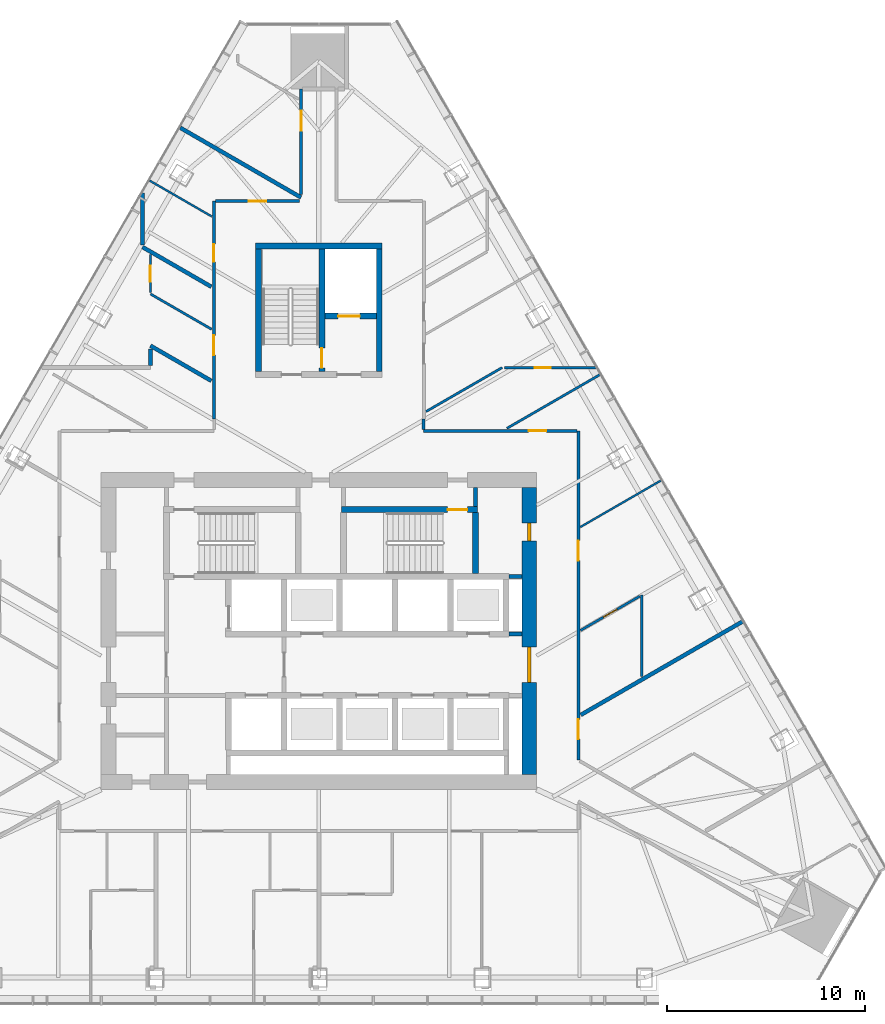
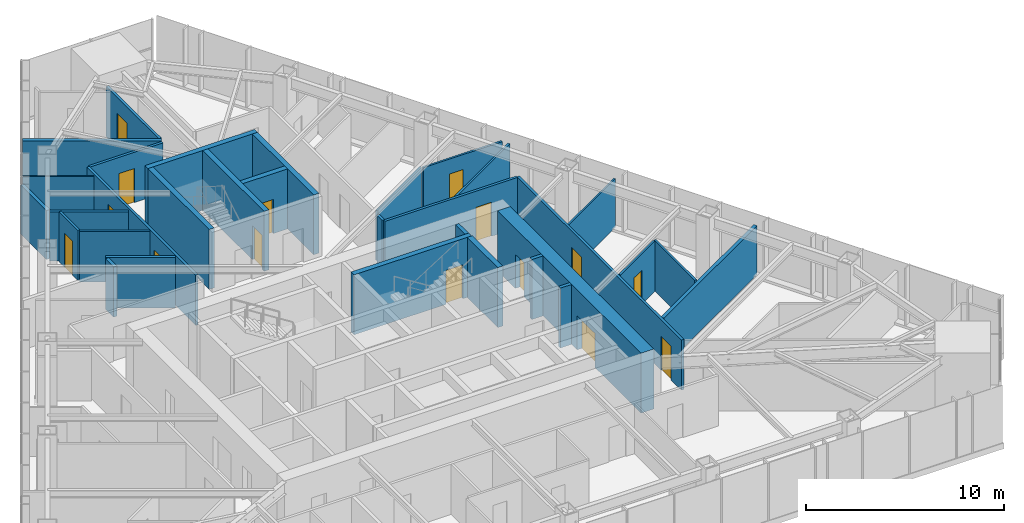
# One storey, part 13 of 16: 32 walls, 15 doors, 15 openings.
"""IFC4 building model written with IfcOpenShell, lengths in metres."""

from ifc_helpers import new_model, si_unit, direction, frame, frame_2d, origin, place, context, subcontext, project, spatial, rectangle, extrude, material, layer, layer_set, type_object, element, fill, save


model = new_model("IFC4")

# Units and contexts
model_context = context("Model", 3, precision=1e-05, world=origin(), true_north=direction((0.0, 1.0)))
body_context = subcontext(model_context, "Body", "Model", "MODEL_VIEW")
ifc_project = project(units=[si_unit("LENGTHUNIT", "METRE"), si_unit("AREAUNIT", "SQUARE_METRE"), si_unit("VOLUMEUNIT", "CUBIC_METRE"), si_unit("PLANEANGLEUNIT", "RADIAN"), si_unit("MASSUNIT", "GRAM", prefix="KILO")], contexts=[model_context])

# Site, building, storey
site_placement = place(None, origin())
site = spatial("IfcSite", under=ifc_project, at=site_placement, CompositionType="ELEMENT")
building_placement = place(site_placement, origin())
building = spatial("IfcBuilding", under=site, at=building_placement, Name="Firuza Gate Tower and Library", CompositionType="ELEMENT")
storey_placement = place(building_placement, frame((0.0, 0.0, 229.89990234375)))
storey = spatial("IfcBuildingStorey", under=building, at=storey_placement, Name="L54", CompositionType="ELEMENT", Elevation=229.89990234375)

# Walls
ifc_material_1 = material(Name="Plasterboard on steel studs", Category="steel")
ifc_layer_1 = layer(ifc_material_1, 0.199951171875)
ifc_layer_set_1 = layer_set([ifc_layer_1], Name="Core partition 200 EI 120")
wall_type_1 = type_object("IfcWallType", Name="Core partition 200 EI 120", PredefinedType="PARTITIONING", material=ifc_layer_set_1)
for number, where, z_axis, x_axis, name in (
    (1, (84.60009765625, 74.85009765625, 0.0), (0.0, 0.0, 1.0), (1.0, 0.0, 0.0), "Core partition L54 5"),
    (2, (84.60009765625, 77.75, 0.0), (0.0, 0.0, 1.0), (1.0, 0.0, 0.0), "Core partition L54 6"),
):
    element("IfcWall", number, at=place(storey_placement, frame(where, z_axis=z_axis, x_axis=x_axis)), inside=storey, type_object=wall_type_1, Name=name, PredefinedType="PARTITIONING", context=body_context, shape_type="SweptSolid", body=[
        extrude(rectangle(XDim=0.64990234375, YDim=0.199951171875, at=frame_2d((0.324951171875, 0.0))), origin(), (0.0, 0.0, 1.0), 3.7001953125),
    ])
ifc_material_2 = material(Name="Plasterboard on steel studs", Category="steel")
ifc_layer_2 = layer(ifc_material_2, 0.199951171875)
ifc_layer_set_2 = layer_set([ifc_layer_2], Name="Core partition 200 EI 60")
wall_type_2 = type_object("IfcWallType", Name="Core partition 200 EI 60", PredefinedType="PARTITIONING", material=ifc_layer_set_2)
wall_1_placement = place(storey_placement, frame((82.89990234375, 81.280029296875, 0.0), z_axis=(0.0, 0.0, 1.0), x_axis=(0.0, 1.0, 0.0)))
element("IfcWall", 3, at=wall_1_placement, inside=storey, type_object=wall_type_2, Name="Core partition L54 14", PredefinedType="PARTITIONING", context=body_context, shape_type="SweptSolid", body=[
    extrude(rectangle(XDim=0.969970703125, YDim=0.199951171875, at=frame_2d((0.48486328125, 0.0))), origin(), (0.0, 0.0, 1.0), 3.7001953125),
])

# Wall, opening, door
ifc_material_3 = material(Name="Concrete C80/95", Category="concrete")
ifc_layer_3 = layer(ifc_material_3, 0.300048828125)
ifc_layer_set_3 = layer_set([ifc_layer_3], Name="Core wall 300 C80/95")
wall_type_3 = type_object("IfcWallType", Name="Core wall 300 C80/95", PredefinedType="SHEAR", material=ifc_layer_set_3)
wall_2_placement = place(storey_placement, frame((76.139892578125, 81.1298828125, 0.0), z_axis=(0.0, 0.0, 1.0), x_axis=(1.0, 0.0, 0.0)))
wall_2 = element("IfcWall", 4, at=wall_2_placement, inside=storey, type_object=wall_type_3, Name="Core wall L54 22", PredefinedType="SHEAR", context=body_context, shape_type="SweptSolid", body=[
    extrude(rectangle(XDim=6.860107421875, YDim=0.300048828125, at=frame_2d((3.43017578125, 0.0))), origin(), (0.0, 0.0, 1.0), 3.7001953125),
])
opening_1_placement = place(wall_2_placement, frame((5.364990234375, 0.0, 0.0)))
opening_1 = element("IfcOpeningElement", 5, at=opening_1_placement, cuts=wall_2, Name="Opening L54-K13", PredefinedType="OPENING", context=body_context, shape_type="SweptSolid", body=[
    extrude(rectangle(XDim=1.0, YDim=2.10009765625, at=frame_2d((0.5, 1.050048828125))), frame((0.0, 0.16015625, 0.0), z_axis=(0.0, -1.0, 0.0), x_axis=(1.0, 0.0, 0.0)), (0.0, 0.0, 1.0), 0.320068359375),
])
ifc_material_4 = material(Name="Steel", Category="steel")
door_type_1 = type_object("IfcDoorType", Name="Fire door 1000x2100 FD90", OperationType="NOTDEFINED", PredefinedType="DOOR", material=ifc_material_4)
door_1_placement = place(opening_1_placement, origin())
door_1 = element("IfcDoor", 6, at=door_1_placement, inside=storey, type_object=door_type_1, Name="Door L54-K13", OperationType="SINGLE_SWING_RIGHT", OverallHeight=2.10009765625, OverallWidth=1.0, PredefinedType="DOOR", context=body_context, shape_type="SweptSolid", body=[
    extrude(rectangle(XDim=1.0, YDim=2.10009765625, at=frame_2d((0.5, 1.050048828125))), frame((0.0, 0.02490234375, 0.0), z_axis=(0.0, -1.0, 0.0), x_axis=(1.0, 0.0, 0.0)), (0.0, 0.0, 1.0), 0.050048828125),
])
fill(opening_1, door_1)

# Walls
wall_3_placement = place(storey_placement, frame((82.89990234375, 77.89990234375, 0.0), z_axis=(0.0, 0.0, 1.0), x_axis=(0.0, 1.0, 0.0)))
element("IfcWall", 7, at=wall_3_placement, inside=storey, type_object=wall_type_3, Name="Core wall L54 26", PredefinedType="SHEAR", context=body_context, shape_type="SweptSolid", body=[
    extrude(rectangle(XDim=3.080078125, YDim=0.300048828125, at=frame_2d((1.5400390625, 0.0))), origin(), (0.0, 0.0, 1.0), 3.7001953125),
])
wall_4_placement = place(storey_placement, frame((71.800048828125, 94.449951171875, 0.0), z_axis=(0.0, 0.0, 1.0), x_axis=(1.0, 0.0, 0.0)))
element("IfcWall", 8, at=wall_4_placement, inside=storey, type_object=wall_type_3, Name="Core wall L54 28", PredefinedType="SHEAR", context=body_context, shape_type="SweptSolid", body=[
    extrude(rectangle(XDim=6.39990234375, YDim=0.300048828125, at=frame_2d((3.199951171875, 0.0))), origin(), (0.0, 0.0, 1.0), 3.7001953125),
])
for number, where, z_axis, x_axis, name in (
    (9, (71.949951171875, 88.10009765625, 0.0), (0.0, 0.0, 1.0), (0.0, 1.0, 0.0), "Core wall L54 29"),
    (10, (78.050048828125, 88.10009765625, 0.0), (0.0, 0.0, 1.0), (0.0, 1.0, 0.0), "Core wall L54 30"),
):
    element("IfcWall", number, at=place(storey_placement, frame(where, z_axis=z_axis, x_axis=x_axis)), inside=storey, type_object=wall_type_3, Name=name, PredefinedType="SHEAR", context=body_context, shape_type="SweptSolid", body=[
        extrude(rectangle(XDim=6.199951171875, YDim=0.300048828125, at=frame_2d((3.10009765625, 0.0))), origin(), (0.0, 0.0, 1.0), 3.7001953125),
    ])

# Wall, opening, door
wall_5_placement = place(storey_placement, frame((75.300048828125, 90.89990234375, 0.0), z_axis=(0.0, 0.0, 1.0), x_axis=(1.0, 0.0, 0.0)))
wall_5 = element("IfcWall", 11, at=wall_5_placement, inside=storey, type_object=wall_type_3, Name="Core wall L54 31", PredefinedType="SHEAR", context=body_context, shape_type="SweptSolid", body=[
    extrude(rectangle(XDim=2.599853515625, YDim=0.300048828125, at=frame_2d((1.2998046875, 0.0))), origin(), (0.0, 0.0, 1.0), 3.7001953125),
])
opening_2_placement = place(wall_5_placement, frame((0.675048828125, 0.0, 0.0)))
opening_2 = element("IfcOpeningElement", 12, at=opening_2_placement, cuts=wall_5, Name="Opening LD-SV1-L54", PredefinedType="OPENING", context=body_context, shape_type="SweptSolid", body=[
    extrude(rectangle(XDim=1.10009765625, YDim=2.10009765625, at=frame_2d((0.550048828125, 1.050048828125))), frame((0.0, 0.16015625, 0.0), z_axis=(0.0, -1.0, 0.0), x_axis=(1.0, 0.0, 0.0)), (0.0, 0.0, 1.0), 0.320068359375),
])
ifc_material_5 = material(Name="Stainless steel", Category="steel")
door_type_2 = type_object("IfcDoorType", Name="Lift landing door 1100x2100", OperationType="DOUBLE_DOOR_SLIDING", PredefinedType="DOOR", material=ifc_material_5)
door_2_placement = place(opening_2_placement, origin())
door_2 = element("IfcDoor", 13, at=door_2_placement, inside=storey, type_object=door_type_2, Name="Landing door SV1 L54", OperationType="DOUBLE_DOOR_SLIDING", OverallHeight=2.10009765625, OverallWidth=1.10009765625, PredefinedType="DOOR", context=body_context, shape_type="SweptSolid", body=[
    extrude(rectangle(XDim=1.10009765625, YDim=2.10009765625, at=frame_2d((0.550048828125, 1.050048828125))), frame((0.0, 0.02490234375, 0.0), z_axis=(0.0, -1.0, 0.0), x_axis=(1.0, 0.0, 0.0)), (0.0, 0.0, 1.0), 0.050048828125),
])
fill(opening_2, door_2)

wall_6_placement = place(storey_placement, frame((75.14990234375, 88.10009765625, 0.0), z_axis=(0.0, 0.0, 1.0), x_axis=(0.0, 1.0, 0.0)))
wall_6 = element("IfcWall", 14, at=wall_6_placement, inside=storey, type_object=wall_type_3, Name="Core wall L54 32", PredefinedType="SHEAR", context=body_context, shape_type="SweptSolid", body=[
    extrude(rectangle(XDim=6.199951171875, YDim=0.300048828125, at=frame_2d((3.10009765625, 0.0))), origin(), (0.0, 0.0, 1.0), 3.7001953125),
])
opening_3_placement = place(wall_6_placement, frame((0.18505859375, 0.0, 0.0)))
opening_3 = element("IfcOpeningElement", 15, at=opening_3_placement, cuts=wall_6, Name="Opening L54-K16", PredefinedType="OPENING", context=body_context, shape_type="SweptSolid", body=[
    extrude(rectangle(XDim=1.0, YDim=2.10009765625, at=frame_2d((0.5, 1.050048828125))), frame((0.0, 0.16015625, 0.0), z_axis=(0.0, -1.0, 0.0), x_axis=(1.0, 0.0, 0.0)), (0.0, 0.0, 1.0), 0.320068359375),
])
door_3_placement = place(opening_3_placement, origin())
door_3 = element("IfcDoor", 16, at=door_3_placement, inside=storey, type_object=door_type_1, Name="Door L54-K16", OperationType="SINGLE_SWING_LEFT", OverallHeight=2.10009765625, OverallWidth=1.0, PredefinedType="DOOR", context=body_context, shape_type="SweptSolid", body=[
    extrude(rectangle(XDim=1.0, YDim=2.10009765625, at=frame_2d((0.5, 1.050048828125))), frame((0.0, 0.02490234375, 0.0), z_axis=(0.0, -1.0, 0.0), x_axis=(1.0, 0.0, 0.0)), (0.0, 0.0, 1.0), 0.050048828125),
])
fill(opening_3, door_3)

# Wall, openings, doors
ifc_material_6 = material(Name="Concrete C80/95", Category="concrete")
ifc_layer_4 = layer(ifc_material_6, 0.75)
ifc_layer_set_4 = layer_set([ifc_layer_4], Name="Core wall 750 C80/95")
wall_type_4 = type_object("IfcWallType", Name="Core wall 750 C80/95", PredefinedType="SHEAR", material=ifc_layer_set_4)
wall_7_placement = place(storey_placement, frame((85.625, 67.75, 0.0), z_axis=(0.0, 0.0, 1.0), x_axis=(0.0, 1.0, 0.0)))
wall_7 = element("IfcWall", 17, at=wall_7_placement, inside=storey, type_object=wall_type_4, Name="Core wall L54 4", PredefinedType="SHEAR", context=body_context, shape_type="SweptSolid", body=[
    extrude(rectangle(XDim=14.5, YDim=0.75, at=frame_2d((7.25, 0.0))), origin(), (0.0, 0.0, 1.0), 3.7001953125),
])
opening_4_placement = place(wall_7_placement, frame((4.64990234375, 0.0, 0.0)))
opening_4 = element("IfcOpeningElement", 18, at=opening_4_placement, cuts=wall_7, Name="Opening L54-K21", PredefinedType="OPENING", context=body_context, shape_type="SweptSolid", body=[
    extrude(rectangle(XDim=1.800048828125, YDim=2.10009765625, at=frame_2d((0.89990234375, 1.050048828125))), frame((0.0, 0.385009765625, 0.0), z_axis=(0.0, -1.0, 0.0), x_axis=(1.0, 0.0, 0.0)), (0.0, 0.0, 1.0), 0.77001953125),
])
opening_5_placement = place(wall_7_placement, frame((11.800048828125, 0.0, 0.0)))
opening_5 = element("IfcOpeningElement", 19, at=opening_5_placement, cuts=wall_7, Name="Opening L54-K27", PredefinedType="OPENING", context=body_context, shape_type="SweptSolid", body=[
    extrude(rectangle(XDim=0.89990234375, YDim=2.10009765625, at=frame_2d((0.449951171875, 1.050048828125))), frame((0.0, 0.385009765625, 0.0), z_axis=(0.0, -1.0, 0.0), x_axis=(1.0, 0.0, 0.0)), (0.0, 0.0, 1.0), 0.77001953125),
])
ifc_material_7 = material(Name="Steel", Category="steel")
door_type_3 = type_object("IfcDoorType", Name="Fire door 1800x2100 FD30S", OperationType="NOTDEFINED", PredefinedType="DOOR", material=ifc_material_7)
door_4_placement = place(opening_4_placement, origin())
door_4 = element("IfcDoor", 20, at=door_4_placement, inside=storey, type_object=door_type_3, Name="Door L54-K21", OperationType="SINGLE_SWING_RIGHT", OverallHeight=2.10009765625, OverallWidth=1.800048828125, PredefinedType="DOOR", context=body_context, shape_type="SweptSolid", body=[
    extrude(rectangle(XDim=1.800048828125, YDim=2.10009765625, at=frame_2d((0.89990234375, 1.050048828125))), frame((0.0, 0.094970703125, 0.0), z_axis=(0.0, -1.0, 0.0), x_axis=(1.0, 0.0, 0.0)), (0.0, 0.0, 1.0), 0.18994140625),
])
fill(opening_4, door_4)
ifc_material_8 = material(Name="Steel", Category="steel")
door_type_4 = type_object("IfcDoorType", Name="Fire door 900x2100 FD30S", OperationType="NOTDEFINED", PredefinedType="DOOR", material=ifc_material_8)
door_5_placement = place(opening_5_placement, origin())
door_5 = element("IfcDoor", 21, at=door_5_placement, inside=storey, type_object=door_type_4, Name="Door L54-K27", OperationType="SINGLE_SWING_RIGHT", OverallHeight=2.10009765625, OverallWidth=0.89990234375, PredefinedType="DOOR", context=body_context, shape_type="SweptSolid", body=[
    extrude(rectangle(XDim=0.89990234375, YDim=2.10009765625, at=frame_2d((0.449951171875, 1.050048828125))), frame((0.0, 0.094970703125, 0.0), z_axis=(0.0, -1.0, 0.0), x_axis=(1.0, 0.0, 0.0)), (0.0, 0.0, 1.0), 0.18994140625),
])
fill(opening_5, door_5)

# Wall, opening, door
ifc_material_9 = material(Name="Gypsum board partition")
ifc_layer_5 = layer(ifc_material_9, 0.14990234375)
ifc_layer_set_5 = layer_set([ifc_layer_5], Name="Corridor wall 150 double board on steel studs")
wall_type_5 = type_object("IfcWallType", Name="Corridor wall 150 double board on steel studs", PredefinedType="PARTITIONING", material=ifc_layer_set_5)
wall_8_placement = place(storey_placement, frame((88.0244140625, 85.10009765625, 0.0), z_axis=(0.0, 0.0, 1.0), x_axis=(-1.0, 0.0, 0.0)))
wall_8 = element("IfcWall", 22, at=wall_8_placement, inside=storey, type_object=wall_type_5, Name="f:L54:w013", PredefinedType="PARTITIONING", context=body_context, shape_type="SweptSolid", body=[
    extrude(rectangle(XDim=7.743896484375, YDim=0.14990234375, at=frame_2d((3.8720703125, 0.0))), origin(), (0.0, 0.0, 1.0), 3.10009765625),
])
opening_6_placement = place(wall_8_placement, frame((1.529541015625, 0.0, 0.0)))
opening_6 = element("IfcOpeningElement", 23, at=opening_6_placement, cuts=wall_8, Name="Opening L54-09", PredefinedType="OPENING", context=body_context, shape_type="SweptSolid", body=[
    extrude(rectangle(XDim=0.89990234375, YDim=2.10009765625, at=frame_2d((0.449951171875, 1.050048828125))), frame((0.0, 0.0849609375, 0.0), z_axis=(0.0, -1.0, 0.0), x_axis=(1.0, 0.0, 0.0)), (0.0, 0.0, 1.0), 0.169921875),
])
ifc_material_10 = material(Name="Steel door and timber leaf", Category="steel")
door_type_5 = type_object("IfcDoorType", Name="Fire door 900 x 2100 steel frame, timber leaf", OperationType="NOTDEFINED", PredefinedType="DOOR", material=ifc_material_10)
door_6_placement = place(opening_6_placement, origin())
door_6 = element("IfcDoor", 24, at=door_6_placement, inside=storey, type_object=door_type_5, Name="f:L54:d009", OperationType="SINGLE_SWING_RIGHT", OverallHeight=2.10009765625, OverallWidth=0.89990234375, PredefinedType="DOOR", context=body_context, shape_type="SweptSolid", body=[
    extrude(rectangle(XDim=0.89990234375, YDim=2.10009765625, at=frame_2d((0.449951171875, 1.050048828125))), frame((0.0, 0.02490234375, 0.0), z_axis=(0.0, -1.0, 0.0), x_axis=(1.0, 0.0, 0.0)), (0.0, 0.0, 1.0), 0.050048828125),
])
fill(opening_6, door_6)

wall_9_placement = place(storey_placement, frame((69.775390625, 96.699951171875, 0.0), z_axis=(0.0, 0.0, 1.0), x_axis=(1.0, 0.0, 0.0)))
wall_9 = element("IfcWall", 25, at=wall_9_placement, inside=storey, type_object=wall_type_5, Name="f:L54:w016", PredefinedType="PARTITIONING", context=body_context, shape_type="SweptSolid", body=[
    extrude(rectangle(XDim=4.24951171875, YDim=0.14990234375, at=frame_2d((2.124755859375, 0.0))), origin(), (0.0, 0.0, 1.0), 3.10009765625),
])
opening_7_placement = place(wall_9_placement, frame((1.6748046875, 0.0, 0.0)))
opening_7 = element("IfcOpeningElement", 26, at=opening_7_placement, cuts=wall_9, Name="Opening L54-11", PredefinedType="OPENING", context=body_context, shape_type="SweptSolid", body=[
    extrude(rectangle(XDim=0.89990234375, YDim=2.10009765625, at=frame_2d((0.449951171875, 1.050048828125))), frame((0.0, 0.0849609375, 0.0), z_axis=(0.0, -1.0, 0.0), x_axis=(1.0, 0.0, 0.0)), (0.0, 0.0, 1.0), 0.169921875),
])
door_7_placement = place(opening_7_placement, origin())
door_7 = element("IfcDoor", 27, at=door_7_placement, inside=storey, type_object=door_type_5, Name="f:L54:d011", OperationType="SINGLE_SWING_LEFT", OverallHeight=2.10009765625, OverallWidth=0.89990234375, PredefinedType="DOOR", context=body_context, shape_type="SweptSolid", body=[
    extrude(rectangle(XDim=0.89990234375, YDim=2.10009765625, at=frame_2d((0.449951171875, 1.050048828125))), frame((0.0, 0.02490234375, 0.0), z_axis=(0.0, -1.0, 0.0), x_axis=(1.0, 0.0, 0.0)), (0.0, 0.0, 1.0), 0.050048828125),
])
fill(opening_7, door_7)

# Wall, openings, doors
wall_10_placement = place(storey_placement, frame((88.10009765625, 85.099609375, 0.0), z_axis=(0.0, 0.0, 1.0), x_axis=(0.0, -1.0, 0.0)))
wall_10 = element("IfcWall", 28, at=wall_10_placement, inside=storey, type_object=wall_type_5, Name="f:L54:w041", PredefinedType="PARTITIONING", context=body_context, shape_type="SweptSolid", body=[
    extrude(rectangle(XDim=16.62353515625, YDim=0.14990234375, at=frame_2d((8.311767578125, 0.0))), origin(), (0.0, 0.0, 1.0), 3.10009765625),
])
opening_8_placement = place(wall_10_placement, frame((5.541748046875, 0.0, 0.0)))
opening_8 = element("IfcOpeningElement", 29, at=opening_8_placement, cuts=wall_10, Name="Opening L54-22", PredefinedType="OPENING", context=body_context, shape_type="SweptSolid", body=[
    extrude(rectangle(XDim=1.0, YDim=2.10009765625, at=frame_2d((0.5, 1.050048828125))), frame((0.0, 0.0849609375, 0.0), z_axis=(0.0, -1.0, 0.0), x_axis=(1.0, 0.0, 0.0)), (0.0, 0.0, 1.0), 0.169921875),
])
opening_9_placement = place(wall_10_placement, frame((14.55810546875, 0.0, 0.0)))
opening_9 = element("IfcOpeningElement", 30, at=opening_9_placement, cuts=wall_10, Name="Opening L54-23", PredefinedType="OPENING", context=body_context, shape_type="SweptSolid", body=[
    extrude(rectangle(XDim=1.0, YDim=2.10009765625, at=frame_2d((0.5, 1.050048828125))), frame((0.0, 0.0849609375, 0.0), z_axis=(0.0, -1.0, 0.0), x_axis=(1.0, 0.0, 0.0)), (0.0, 0.0, 1.0), 0.169921875),
])
ifc_material_11 = material(Name="Steel door and timber leaf", Category="steel")
door_type_6 = type_object("IfcDoorType", Name="Fire door 1000 x 2100 steel frame, timber leaf", OperationType="NOTDEFINED", PredefinedType="DOOR", material=ifc_material_11)
door_8_placement = place(opening_8_placement, origin())
door_8 = element("IfcDoor", 31, at=door_8_placement, inside=storey, type_object=door_type_6, Name="f:L54:d022", OperationType="SINGLE_SWING_RIGHT", OverallHeight=2.10009765625, OverallWidth=1.0, PredefinedType="DOOR", context=body_context, shape_type="SweptSolid", body=[
    extrude(rectangle(XDim=1.0, YDim=2.10009765625, at=frame_2d((0.5, 1.050048828125))), frame((0.0, 0.02490234375, 0.0), z_axis=(0.0, -1.0, 0.0), x_axis=(1.0, 0.0, 0.0)), (0.0, 0.0, 1.0), 0.050048828125),
])
fill(opening_8, door_8)
door_9_placement = place(opening_9_placement, origin())
door_9 = element("IfcDoor", 32, at=door_9_placement, inside=storey, type_object=door_type_6, Name="f:L54:d023", OperationType="SINGLE_SWING_RIGHT", OverallHeight=2.10009765625, OverallWidth=1.0, PredefinedType="DOOR", context=body_context, shape_type="SweptSolid", body=[
    extrude(rectangle(XDim=1.0, YDim=2.10009765625, at=frame_2d((0.5, 1.050048828125))), frame((0.0, 0.02490234375, 0.0), z_axis=(0.0, -1.0, 0.0), x_axis=(1.0, 0.0, 0.0)), (0.0, 0.0, 1.0), 0.050048828125),
])
fill(opening_9, door_9)

# Wall
wall_11_placement = place(storey_placement, frame((80.281005859375, 85.175048828125, 0.0), z_axis=(0.0, 0.0, 1.0), x_axis=(0.0, 1.0, 0.0)))
element("IfcWall", 33, at=wall_11_placement, inside=storey, type_object=wall_type_5, Name="f:L54:w046", PredefinedType="PARTITIONING", context=body_context, shape_type="SweptSolid", body=[
    extrude(rectangle(XDim=0.52490234375, YDim=0.14990234375, at=frame_2d((0.262451171875, 0.0))), origin(), (0.0, 0.0, 1.0), 3.10009765625),
])

# Wall, opening, door
wall_12_placement = place(storey_placement, frame((74.10009765625, 97.050048828125, 0.0), z_axis=(0.0, 0.0, 1.0), x_axis=(0.0, 1.0, 0.0)))
wall_12 = element("IfcWall", 34, at=wall_12_placement, inside=storey, type_object=wall_type_5, Name="f:L54:w052", PredefinedType="PARTITIONING", context=body_context, shape_type="SweptSolid", body=[
    extrude(rectangle(XDim=5.322021484375, YDim=0.14990234375, at=frame_2d((2.6611328125, 0.0))), origin(), (0.0, 0.0, 1.0), 3.10009765625),
])
opening_10_placement = place(wall_12_placement, frame((3.208740234375, 0.0, 0.0)))
opening_10 = element("IfcOpeningElement", 35, at=opening_10_placement, cuts=wall_12, Name="Opening L54-26", PredefinedType="OPENING", context=body_context, shape_type="SweptSolid", body=[
    extrude(rectangle(XDim=1.0, YDim=2.10009765625, at=frame_2d((0.5, 1.050048828125))), frame((0.0, 0.0849609375, 0.0), z_axis=(0.0, -1.0, 0.0), x_axis=(1.0, 0.0, 0.0)), (0.0, 0.0, 1.0), 0.169921875),
])
door_10_placement = place(opening_10_placement, origin())
door_10 = element("IfcDoor", 36, at=door_10_placement, inside=storey, type_object=door_type_6, Name="f:L54:d026", OperationType="SINGLE_SWING_LEFT", OverallHeight=2.10009765625, OverallWidth=1.0, PredefinedType="DOOR", context=body_context, shape_type="SweptSolid", body=[
    extrude(rectangle(XDim=1.0, YDim=2.10009765625, at=frame_2d((0.5, 1.050048828125))), frame((0.0, 0.02490234375, 0.0), z_axis=(0.0, -1.0, 0.0), x_axis=(1.0, 0.0, 0.0)), (0.0, 0.0, 1.0), 0.050048828125),
])
fill(opening_10, door_10)

# Wall, openings, doors
wall_13_placement = place(storey_placement, frame((69.699951171875, 85.700439453125, 0.0), z_axis=(0.0, 0.0, 1.0), x_axis=(0.0, 1.0, 0.0)))
wall_13 = element("IfcWall", 37, at=wall_13_placement, inside=storey, type_object=wall_type_5, Name="f:L54:w057", PredefinedType="PARTITIONING", context=body_context, shape_type="SweptSolid", body=[
    extrude(rectangle(XDim=10.9990234375, YDim=0.14990234375, at=frame_2d((5.49951171875, 0.0))), origin(), (0.0, 0.0, 1.0), 3.10009765625),
])
opening_11_placement = place(wall_13_placement, frame((3.230224609375, 0.0, 0.0)))
opening_11 = element("IfcOpeningElement", 38, at=opening_11_placement, cuts=wall_13, Name="Opening L54-28", PredefinedType="OPENING", context=body_context, shape_type="SweptSolid", body=[
    extrude(rectangle(XDim=1.0, YDim=2.10009765625, at=frame_2d((0.5, 1.050048828125))), frame((0.0, 0.0849609375, 0.0), z_axis=(0.0, -1.0, 0.0), x_axis=(1.0, 0.0, 0.0)), (0.0, 0.0, 1.0), 0.169921875),
])
opening_12_placement = place(wall_13_placement, frame((7.937744140625, 0.0, 0.0)))
opening_12 = element("IfcOpeningElement", 39, at=opening_12_placement, cuts=wall_13, Name="Opening L54-29", PredefinedType="OPENING", context=body_context, shape_type="SweptSolid", body=[
    extrude(rectangle(XDim=0.89990234375, YDim=2.10009765625, at=frame_2d((0.449951171875, 1.050048828125))), frame((0.0, 0.0849609375, 0.0), z_axis=(0.0, -1.0, 0.0), x_axis=(1.0, 0.0, 0.0)), (0.0, 0.0, 1.0), 0.169921875),
])
door_11_placement = place(opening_11_placement, origin())
door_11 = element("IfcDoor", 40, at=door_11_placement, inside=storey, type_object=door_type_6, Name="f:L54:d028", OperationType="SINGLE_SWING_LEFT", OverallHeight=2.10009765625, OverallWidth=1.0, PredefinedType="DOOR", context=body_context, shape_type="SweptSolid", body=[
    extrude(rectangle(XDim=1.0, YDim=2.10009765625, at=frame_2d((0.5, 1.050048828125))), frame((0.0, 0.02490234375, 0.0), z_axis=(0.0, -1.0, 0.0), x_axis=(1.0, 0.0, 0.0)), (0.0, 0.0, 1.0), 0.050048828125),
])
fill(opening_11, door_11)
door_12_placement = place(opening_12_placement, origin())
door_12 = element("IfcDoor", 41, at=door_12_placement, inside=storey, type_object=door_type_5, Name="f:L54:d029", OperationType="SINGLE_SWING_RIGHT", OverallHeight=2.10009765625, OverallWidth=0.89990234375, PredefinedType="DOOR", context=body_context, shape_type="SweptSolid", body=[
    extrude(rectangle(XDim=0.89990234375, YDim=2.10009765625, at=frame_2d((0.449951171875, 1.050048828125))), frame((0.0, 0.02490234375, 0.0), z_axis=(0.0, -1.0, 0.0), x_axis=(1.0, 0.0, 0.0)), (0.0, 0.0, 1.0), 0.050048828125),
])
fill(opening_12, door_12)

# Walls
ifc_material_12 = material(Name="Gypsum board partition")
ifc_layer_6 = layer(ifc_material_12, 0.199951171875)
ifc_layer_set_6 = layer_set([ifc_layer_6], Name="Demising wall 200 acoustic double stud")
wall_type_6 = type_object("IfcWallType", Name="Demising wall 200 acoustic double stud", PredefinedType="PARTITIONING", material=ifc_layer_set_6)
wall_14_placement = place(storey_placement, frame((88.22705078125, 70.76416015625, 0.0), z_axis=(0.0, 0.0, 1.0), x_axis=(0.866032053748, 0.499988481748, 0.0)))
element("IfcWall", 42, at=wall_14_placement, inside=storey, type_object=wall_type_6, Name="f:L54:w022", PredefinedType="PARTITIONING", context=body_context, shape_type="SweptSolid", body=[
    extrude(rectangle(XDim=9.427001953125, YDim=0.199951171875, at=frame_2d((4.71337890625, 0.0))), origin(), (0.0, 0.0, 1.0), 3.022216796875),
])
wall_15_placement = place(storey_placement, frame((66.5, 88.400390625, 0.0), z_axis=(0.0, 0.0, 1.0), x_axis=(0.0, 1.0, 0.0)))
element("IfcWall", 43, at=wall_15_placement, inside=storey, type_object=wall_type_6, Name="f:L54:w059", PredefinedType="PARTITIONING", context=body_context, shape_type="SweptSolid", body=[
    extrude(rectangle(XDim=0.82958984375, YDim=0.199951171875, at=frame_2d((0.414794921875, 0.0))), origin(), (0.0, 0.0, 1.0), 3.10009765625),
])
wall_16_placement = place(storey_placement, frame((66.10009765625, 94.501708984375, 0.0), z_axis=(0.0, 0.0, 1.0), x_axis=(0.0, 1.0, 0.0)))
element("IfcWall", 44, at=wall_16_placement, inside=storey, type_object=wall_type_6, Name="f:L54:w062", PredefinedType="PARTITIONING", context=body_context, shape_type="SweptSolid", body=[
    extrude(rectangle(XDim=2.611083984375, YDim=0.199951171875, at=frame_2d((1.3056640625, 0.0))), origin(), (0.0, 0.0, 1.0), 3.022216796875),
])
wall_17_placement = place(storey_placement, frame((74.099853515625, 96.889892578125, 0.0), z_axis=(0.0, 0.0, 1.0), x_axis=(-0.8660256076, 0.499999646981, 0.0)))
element("IfcWall", 45, at=wall_17_placement, inside=storey, type_object=wall_type_6, Name="f:L54:w074", PredefinedType="PARTITIONING", context=body_context, shape_type="SweptSolid", body=[
    extrude(rectangle(XDim=7.03955078125, YDim=0.199951171875, at=frame_2d((3.519775390625, 0.0))), origin(), (0.0, 0.0, 1.0), 3.10009765625),
])
wall_18_placement = place(storey_placement, frame((69.572998046875, 92.380126953125, 0.0), z_axis=(0.0, 0.0, 1.0), x_axis=(-0.866020331166, 0.500008785931, 0.0)))
element("IfcWall", 46, at=wall_18_placement, inside=storey, type_object=wall_type_6, Name="f:L54:w076", PredefinedType="PARTITIONING", context=body_context, shape_type="SweptSolid", body=[
    extrude(rectangle(XDim=4.01025390625, YDim=0.199951171875, at=frame_2d((2.005126953125, 0.0))), origin(), (0.0, 0.0, 1.0), 3.022216796875),
])
wall_19_placement = place(storey_placement, frame((69.57275390625, 87.630859375, 0.0), z_axis=(0.0, 0.0, 1.0), x_axis=(-0.866028616566, 0.499994435258, 0.0)))
element("IfcWall", 47, at=wall_19_placement, inside=storey, type_object=wall_type_6, Name="f:L54:w078", PredefinedType="PARTITIONING", context=body_context, shape_type="SweptSolid", body=[
    extrude(rectangle(XDim=3.54833984375, YDim=0.199951171875, at=frame_2d((1.774169921875, 0.0))), origin(), (0.0, 0.0, 1.0), 3.10009765625),
])
ifc_material_13 = material(Name="Gypsum board partition")
ifc_layer_7 = layer(ifc_material_13, 0.10009765625)
ifc_layer_set_7 = layer_set([ifc_layer_7], Name="Partition 100 gypsum board on steel studs")
wall_type_7 = type_object("IfcWallType", Name="Partition 100 gypsum board on steel studs", PredefinedType="PARTITIONING", material=ifc_layer_set_7)
wall_20_placement = place(storey_placement, frame((88.20068359375, 80.24755859375, 0.0), z_axis=(0.0, 0.0, 1.0), x_axis=(0.866032742664, 0.499987288472, 0.0)))
element("IfcWall", 48, at=wall_20_placement, inside=storey, type_object=wall_type_7, Name="f:L54:w024", PredefinedType="PARTITIONING", context=body_context, shape_type="SweptSolid", body=[
    extrude(rectangle(XDim=4.7080078125, YDim=0.10009765625, at=frame_2d((2.35400390625, 0.0))), origin(), (0.0, 0.0, 1.0), 3.022216796875),
])
wall_21_placement = place(storey_placement, frame((69.59912109375, 95.92724609375, 0.0), z_axis=(0.0, 0.0, 1.0), x_axis=(-0.866028486751, 0.499994660107, 0.0)))
element("IfcWall", 49, at=wall_21_placement, inside=storey, type_object=wall_type_7, Name="f:L54:w075", PredefinedType="PARTITIONING", context=body_context, shape_type="SweptSolid", body=[
    extrude(rectangle(XDim=3.623046875, YDim=0.10009765625, at=frame_2d((1.8115234375, 0.0))), origin(), (0.0, 0.0, 1.0), 3.022216796875),
])

# Wall, opening, door
ifc_material_14 = material(Name="Gypsum board partition")
ifc_layer_8 = layer(ifc_material_14, 0.1201171875)
ifc_layer_set_8 = layer_set([ifc_layer_8], Name="Wet-area partition 120 moisture-resistant board")
wall_type_8 = type_object("IfcWallType", Name="Wet-area partition 120 moisture-resistant board", PredefinedType="PARTITIONING", material=ifc_layer_set_8)
wall_22_placement = place(storey_placement, frame((88.988037109375, 88.300048828125, 0.0), z_axis=(0.0, 0.0, 1.0), x_axis=(-1.0, 0.0, 0.0)))
wall_22 = element("IfcWall", 50, at=wall_22_placement, inside=storey, type_object=wall_type_8, Name="f:L54:w015", PredefinedType="PARTITIONING", context=body_context, shape_type="SweptSolid", body=[
    extrude(rectangle(XDim=4.609619140625, YDim=0.1201171875, at=frame_2d((2.3046875, 0.0))), origin(), (0.0, 0.0, 1.0), 3.022216796875),
])
opening_13_placement = place(wall_22_placement, frame((2.285888671875, 0.0, 0.0)))
opening_13 = element("IfcOpeningElement", 51, at=opening_13_placement, cuts=wall_22, Name="Opening L54-10", PredefinedType="OPENING", context=body_context, shape_type="SweptSolid", body=[
    extrude(rectangle(XDim=0.800048828125, YDim=2.10009765625, at=frame_2d((0.39990234375, 1.050048828125))), frame((0.0, 0.070068359375, 0.0), z_axis=(0.0, -1.0, 0.0), x_axis=(1.0, 0.0, 0.0)), (0.0, 0.0, 1.0), 0.14013671875),
])
ifc_material_15 = material(Name="Timber door", Category="wood")
door_type_7 = type_object("IfcDoorType", Name="Door 800 x 2100 timber leaf", OperationType="NOTDEFINED", PredefinedType="DOOR", material=ifc_material_15)
door_13_placement = place(opening_13_placement, origin())
door_13 = element("IfcDoor", 52, at=door_13_placement, inside=storey, type_object=door_type_7, Name="f:L54:d010", OperationType="SINGLE_SWING_RIGHT", OverallHeight=2.10009765625, OverallWidth=0.800048828125, PredefinedType="DOOR", context=body_context, shape_type="SweptSolid", body=[
    extrude(rectangle(XDim=0.800048828125, YDim=2.10009765625, at=frame_2d((0.39990234375, 1.050048828125))), frame((0.0, 0.02490234375, 0.0), z_axis=(0.0, -1.0, 0.0), x_axis=(1.0, 0.0, 0.0)), (0.0, 0.0, 1.0), 0.050048828125),
])
fill(opening_13, door_13)

wall_23_placement = place(storey_placement, frame((91.20556640625, 76.75732421875, 0.0), z_axis=(0.0, 0.0, 1.0), x_axis=(-0.866028087245, -0.499995352082, 0.0)))
wall_23 = element("IfcWall", 53, at=wall_23_placement, inside=storey, type_object=wall_type_8, Name="f:L54:w023", PredefinedType="PARTITIONING", context=body_context, shape_type="SweptSolid", body=[
    extrude(rectangle(XDim=3.458984375, YDim=0.1201171875, at=frame_2d((1.7294921875, 0.0))), origin(), (0.0, 0.0, 1.0), 3.10009765625),
])
opening_14_placement = place(wall_23_placement, frame((1.32958984375, 0.0, 0.0)))
opening_14 = element("IfcOpeningElement", 54, at=opening_14_placement, cuts=wall_23, Name="Opening L54-15", PredefinedType="OPENING", context=body_context, shape_type="SweptSolid", body=[
    extrude(rectangle(XDim=0.800048828125, YDim=2.10009765625, at=frame_2d((0.39990234375, 1.050048828125))), frame((0.0, 0.070068359375, 0.0), z_axis=(0.0, -1.0, 0.0), x_axis=(1.0, 0.0, 0.0)), (0.0, 0.0, 1.0), 0.14013671875),
])
door_14_placement = place(opening_14_placement, origin())
door_14 = element("IfcDoor", 55, at=door_14_placement, inside=storey, type_object=door_type_7, Name="f:L54:d015", OperationType="SINGLE_SWING_LEFT", OverallHeight=2.10009765625, OverallWidth=0.800048828125, PredefinedType="DOOR", context=body_context, shape_type="SweptSolid", body=[
    extrude(rectangle(XDim=0.800048828125, YDim=2.10009765625, at=frame_2d((0.39990234375, 1.050048828125))), frame((0.0, 0.02490234375, 0.0), z_axis=(0.0, -1.0, 0.0), x_axis=(1.0, 0.0, 0.0)), (0.0, 0.0, 1.0), 0.050048828125),
])
fill(opening_14, door_14)

# Walls
wall_24_placement = place(storey_placement, frame((84.4931640625, 85.230224609375, 0.0), z_axis=(0.0, 0.0, 1.0), x_axis=(0.866020042254, 0.500009286329, 0.0)))
element("IfcWall", 56, at=wall_24_placement, inside=storey, type_object=wall_type_8, Name="f:L54:w030", PredefinedType="PARTITIONING", context=body_context, shape_type="SweptSolid", body=[
    extrude(rectangle(XDim=5.427734375, YDim=0.1201171875, at=frame_2d((2.7138671875, 0.0))), origin(), (0.0, 0.0, 1.0), 3.022216796875),
])
wall_25_placement = place(storey_placement, frame((80.40966796875, 86.078125, 0.0), z_axis=(0.0, 0.0, 1.0), x_axis=(0.866033721197, 0.499985593543, 0.0)))
element("IfcWall", 57, at=wall_25_placement, inside=storey, type_object=wall_type_8, Name="f:L54:w031", PredefinedType="PARTITIONING", context=body_context, shape_type="SweptSolid", body=[
    extrude(rectangle(XDim=4.444091796875, YDim=0.1201171875, at=frame_2d((2.22216796875, 0.0))), origin(), (0.0, 0.0, 1.0), 3.10009765625),
])
wall_26_placement = place(storey_placement, frame((91.300048828125, 72.69384765625, 0.0), z_axis=(0.0, 0.0, 1.0), x_axis=(0.0, 1.0, 0.0)))
element("IfcWall", 58, at=wall_26_placement, inside=storey, type_object=wall_type_8, Name="f:L54:w039", PredefinedType="PARTITIONING", context=body_context, shape_type="SweptSolid", body=[
    extrude(rectangle(XDim=4.118408203125, YDim=0.1201171875, at=frame_2d((2.05908203125, 0.0))), origin(), (0.0, 0.0, 1.0), 3.10009765625),
])

# Wall, opening, door
wall_27_placement = place(storey_placement, frame((66.5, 93.9990234375, 0.0), z_axis=(0.0, 0.0, 1.0), x_axis=(0.0, -1.0, 0.0)))
wall_27 = element("IfcWall", 59, at=wall_27_placement, inside=storey, type_object=wall_type_8, Name="f:L54:w060", PredefinedType="PARTITIONING", context=body_context, shape_type="SweptSolid", body=[
    extrude(rectangle(XDim=1.912353515625, YDim=0.1201171875, at=frame_2d((0.9560546875, 0.0))), origin(), (0.0, 0.0, 1.0), 3.10009765625),
])
opening_15_placement = place(wall_27_placement, frame((0.55615234375, 0.0, 0.0)))
opening_15 = element("IfcOpeningElement", 60, at=opening_15_placement, cuts=wall_27, Name="Opening L54-30", PredefinedType="OPENING", context=body_context, shape_type="SweptSolid", body=[
    extrude(rectangle(XDim=0.800048828125, YDim=2.10009765625, at=frame_2d((0.39990234375, 1.050048828125))), frame((0.0, 0.070068359375, 0.0), z_axis=(0.0, -1.0, 0.0), x_axis=(1.0, 0.0, 0.0)), (0.0, 0.0, 1.0), 0.14013671875),
])
door_15_placement = place(opening_15_placement, origin())
door_15 = element("IfcDoor", 61, at=door_15_placement, inside=storey, type_object=door_type_7, Name="f:L54:d030", OperationType="SINGLE_SWING_LEFT", OverallHeight=2.10009765625, OverallWidth=0.800048828125, PredefinedType="DOOR", context=body_context, shape_type="SweptSolid", body=[
    extrude(rectangle(XDim=0.800048828125, YDim=2.10009765625, at=frame_2d((0.39990234375, 1.050048828125))), frame((0.0, 0.02490234375, 0.0), z_axis=(0.0, -1.0, 0.0), x_axis=(1.0, 0.0, 0.0)), (0.0, 0.0, 1.0), 0.050048828125),
])
fill(opening_15, door_15)

# Wall
wall_28_placement = place(storey_placement, frame((69.590087890625, 90.23291015625, 0.0), z_axis=(0.0, 0.0, 1.0), x_axis=(-0.866028357664, 0.499994883695, 0.0)))
element("IfcWall", 62, at=wall_28_placement, inside=storey, type_object=wall_type_8, Name="f:L54:w077", PredefinedType="PARTITIONING", context=body_context, shape_type="SweptSolid", body=[
    extrude(rectangle(XDim=3.568359375, YDim=0.1201171875, at=frame_2d((1.7841796875, 0.0))), origin(), (0.0, 0.0, 1.0), 3.10009765625),
])

save(model, "model.ifc")
